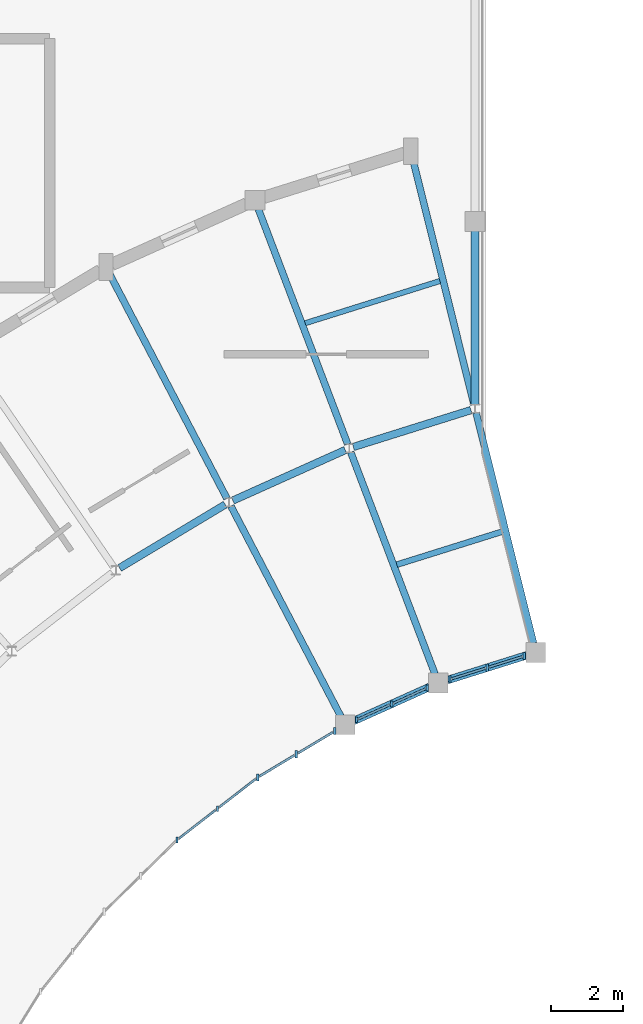
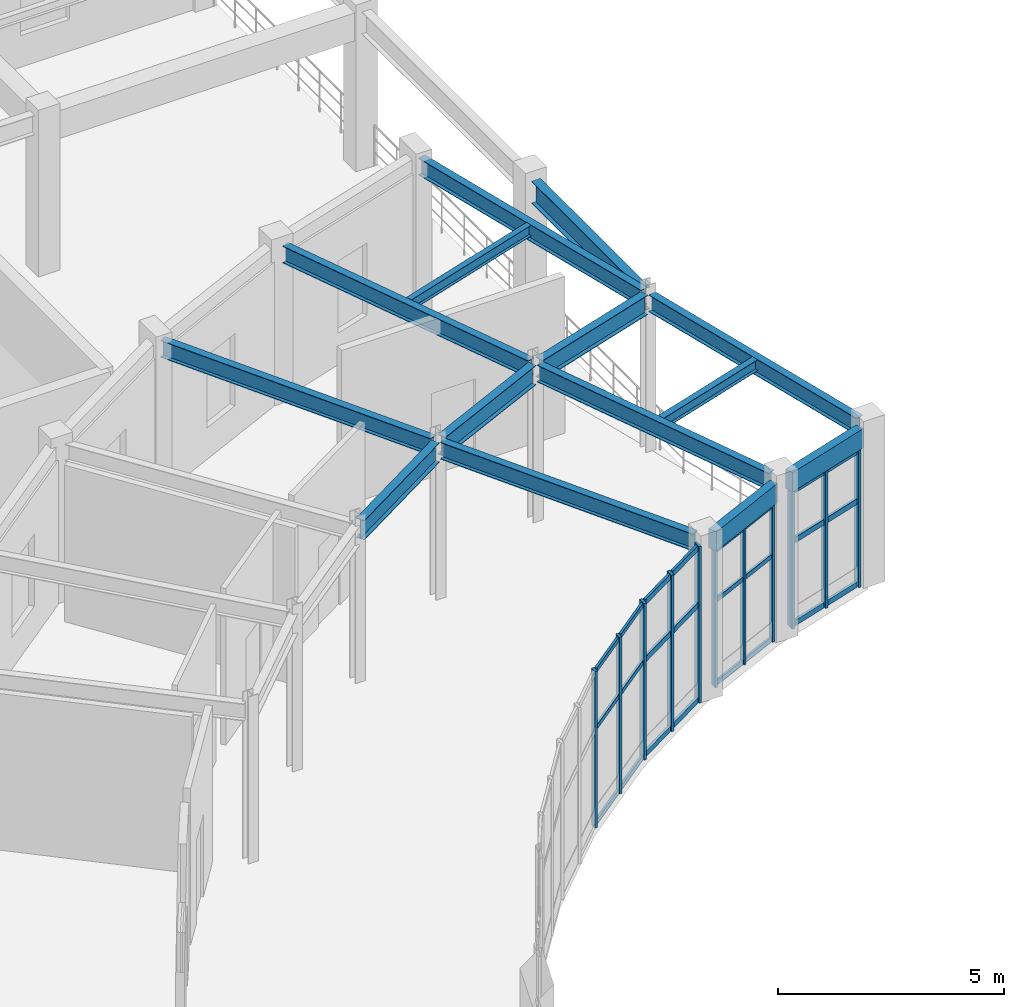
# One storey, part 50 of 112: 35 members, 14 beams, 4 elements without a shape of their own.
"""IFC4 building model written with IfcOpenShell, lengths in metres."""

import ifcopenshell
import ifcopenshell.guid

model = None  # the IFC model being written
_history = None  # IfcOwnerHistory: only IFC2X3 demands one
_inside = {}  # id of a spatial element -> (the spatial element, [elements in it])
_under = {}  # id of a project, library or spatial element -> (it, [spatial elements below it])
_declared = {}  # id of a project -> (the project, [libraries it declares])
_typed = {}  # id of a type object -> (the type object, [elements of that type])
_made_of = {}  # id of a material, layer set ... -> (it, [elements and type objects made of it])


def new_model(schema):
    """Start an empty IFC model of exactly this schema.

    Asked for "IFC4X3", IfcOpenShell would pick the latest addendum, in which some entities
    have other attributes; the version numbers below select the first issue.
    IFC2X3 requires an IfcOwnerHistory on every rooted entity: one is made here for all.
    """
    global model, _history
    if schema == "IFC4X3":
        model = ifcopenshell.file(schema_version=(4, 3, 0, 0))
    else:
        model = ifcopenshell.file(schema=schema)
    _inside.clear()
    _under.clear()
    _declared.clear()
    _typed.clear()
    _made_of.clear()
    _history = None
    if model.schema == "IFC2X3":
        org = make("IfcOrganization", Name="unknown")
        user = make(
            "IfcPersonAndOrganization",
            ThePerson=make("IfcPerson", FamilyName="unknown"),
            TheOrganization=org,
        )
        app = make(
            "IfcApplication",
            ApplicationDeveloper=org,
            Version="unknown",
            ApplicationFullName="unknown",
            ApplicationIdentifier="unknown",
        )
        _history = make(
            "IfcOwnerHistory",
            OwningUser=user,
            OwningApplication=app,
            ChangeAction="ADDED",
            CreationDate=0,
        )
    return model


def make(cls, **values):
    """One entity of the class cls with the attributes given. An attribute that is None is left unset."""
    return model.create_entity(
        cls, **{name: value for name, value in values.items() if value is not None}
    )


def rooted(cls, **values):
    """An entity with a GlobalId (a new one), such as an element, a storey or a relation."""
    return make(cls, GlobalId=ifcopenshell.guid.new(), OwnerHistory=_history, **values)


def si_unit(unit_type, name, prefix=None):
    """IfcSIUnit, for example si_unit("LENGTHUNIT", "METRE", prefix="MILLI")."""
    return make("IfcSIUnit", UnitType=unit_type, Prefix=prefix, Name=name)


def assignment(units):
    """IfcUnitAssignment: the units of a project."""
    return None if units is None else make("IfcUnitAssignment", Units=units)


def point(xyz):
    """IfcCartesianPoint."""
    return None if xyz is None else make("IfcCartesianPoint", Coordinates=xyz)


def direction(xyz):
    """IfcDirection."""
    return None if xyz is None else make("IfcDirection", DirectionRatios=xyz)


def frame(location, z_axis=None, x_axis=None):
    """IfcAxis2Placement3D, a coordinate frame: its origin and axes. An axis left out is left unset."""
    return make(
        "IfcAxis2Placement3D",
        Location=point(location),
        Axis=direction(z_axis),
        RefDirection=direction(x_axis),
    )


def frame_2d(location, x_axis=None):
    """IfcAxis2Placement2D, a coordinate frame in the plane: its origin and x axis."""
    return make(
        "IfcAxis2Placement2D", Location=point(location), RefDirection=direction(x_axis)
    )


def origin():
    """The frame at (0, 0, 0) with its axes left unset."""
    return frame((0.0, 0.0, 0.0))


def origin_2d():
    """The frame at (0, 0) in the plane with its x axis left unset."""
    return frame_2d((0.0, 0.0))


def place(relative_to, where):
    """IfcLocalPlacement: puts the frame where relative to a parent placement (None: the world)."""
    return make(
        "IfcLocalPlacement", PlacementRelTo=relative_to, RelativePlacement=where
    )


def context(
    kind, dimensions, precision=None, world=None, true_north=None, identifier=None
):
    """IfcGeometricRepresentationContext, for example the 3D "Model" context."""
    return make(
        "IfcGeometricRepresentationContext",
        ContextIdentifier=identifier,
        ContextType=kind,
        CoordinateSpaceDimension=dimensions,
        Precision=precision,
        WorldCoordinateSystem=world,
        TrueNorth=true_north,
    )


def subcontext(parent, identifier, kind, view, scale=None):
    """IfcGeometricRepresentationSubContext, for example "Body" below "Model"."""
    return make(
        "IfcGeometricRepresentationSubContext",
        ContextIdentifier=identifier,
        ContextType=kind,
        ParentContext=parent,
        TargetScale=scale,
        TargetView=view,
    )


def project(units=None, contexts=None):
    """IfcProject with its units and contexts."""
    return rooted(
        "IfcProject",
        Name="project",
        RepresentationContexts=contexts,
        UnitsInContext=assignment(units),
    )


def spatial(cls, under=None, at=None, **own):
    """A site, building, storey or space (cls), placed at a placement, below another one or the project."""
    s = rooted(cls, ObjectPlacement=at, **own)
    if under is not None:
        _under.setdefault(under.id(), (under, []))[1].append(s)
    return s


def profile(cls, at=None, kind="AREA", **sizes):
    """A parametric profile (cls). Its sizes go by their IFC names, for example OverallWidth=200.0."""
    return make(cls, ProfileType=kind, Position=at, **sizes)


def rectangle(**sizes):
    """IfcRectangleProfileDef."""
    return profile("IfcRectangleProfileDef", **sizes)


def i_section(**sizes):
    """IfcIShapeProfileDef."""
    return profile("IfcIShapeProfileDef", **sizes)


def extrude(swept, where, along, depth):
    """IfcExtrudedAreaSolid: the profile swept, set in the frame where, extruded along a direction by depth."""
    return make(
        "IfcExtrudedAreaSolid",
        SweptArea=swept,
        Position=where,
        ExtrudedDirection=direction(along),
        Depth=depth,
    )


def shape(context_of_items, identifier, shape_type, items):
    """IfcShapeRepresentation: the items that make up one representation, for example the "Body"."""
    return make(
        "IfcShapeRepresentation",
        ContextOfItems=context_of_items,
        RepresentationIdentifier=identifier,
        RepresentationType=shape_type,
        Items=items,
    )


def material(Name=None, Category=None):
    """IfcMaterial."""
    return make("IfcMaterial", Name=Name, Category=Category)


def material_profile(
    of_material, cross_section, Name=None, Category=None, Priority=None
):
    """IfcMaterialProfile: a cross section and its material."""
    return make(
        "IfcMaterialProfile",
        Name=Name,
        Material=of_material,
        Profile=cross_section,
        Priority=Priority,
        Category=Category,
    )


def profile_set(profiles, Name=None, composite=None):
    """IfcMaterialProfileSet."""
    return make(
        "IfcMaterialProfileSet",
        Name=Name,
        MaterialProfiles=profiles,
        CompositeProfile=composite,
    )


def made_of(thing, what):
    """Note that an element or type object is made of a material, layer set ...; save() writes the relation."""
    if what is not None:
        _made_of.setdefault(what.id(), (what, []))[1].append(thing)
    return thing


def type_object(cls, material=None, **own):
    """A type object (cls), such as IfcWallType, which elements share."""
    return made_of(rooted(cls, **own), material)


def element(
    cls,
    number,
    at=None,
    inside=None,
    cuts=None,
    type_object=None,
    material=None,
    context=None,
    identifier="Body",
    shape_type=None,
    held_by="IfcProductDefinitionShape",
    body=None,
    shapes=None,
    **own,
):
    """One element of the class cls, such as IfcWall. Its Tag is "e" and its number.

    at: its placement. inside: the storey or other place that contains it. cuts: it is an
    opening in that element (IfcRelVoidsElement). A single representation is given by context,
    identifier, shape_type and body (its items); several are given by shapes. held_by: the class
    of the entity that holds the representations. save() writes the other relations.
    """
    e = rooted(cls, Tag="e%d" % number, ObjectPlacement=at, **own)
    if body is not None:
        shapes = [shape(context, identifier, shape_type, body)]
    if shapes is not None:
        e.Representation = make(held_by, Representations=shapes)
    if inside is not None:
        _inside.setdefault(inside.id(), (inside, []))[1].append(e)
    if cuts is not None:
        rooted(
            "IfcRelVoidsElement", RelatingBuildingElement=cuts, RelatedOpeningElement=e
        )
    if type_object is not None:
        _typed.setdefault(type_object.id(), (type_object, []))[1].append(e)
    return made_of(e, material)


def aggregate(whole, parts):
    """IfcRelAggregates: a whole, such as a stair, and the parts it consists of."""
    return rooted("IfcRelAggregates", RelatingObject=whole, RelatedObjects=parts)


def save(model, path):
    """Write the relations noted so far, then the file.

    IfcRelAggregates (storeys below a building ...), IfcRelContainedInSpatialStructure (elements
    in a storey), IfcRelDefinesByType, IfcRelAssociatesMaterial and IfcRelDeclares: one each for
    every whole, place, type object, material and project.
    """
    for whole, parts in _under.values():
        aggregate(whole, parts)
    for where, things in _inside.values():
        rooted(
            "IfcRelContainedInSpatialStructure",
            RelatedElements=things,
            RelatingStructure=where,
        )
    for kind, things in _typed.values():
        rooted("IfcRelDefinesByType", RelatedObjects=things, RelatingType=kind)
    for what, things in _made_of.values():
        rooted("IfcRelAssociatesMaterial", RelatedObjects=things, RelatingMaterial=what)
    for by, libraries in _declared.values():
        rooted("IfcRelDeclares", RelatingContext=by, RelatedDefinitions=libraries)
    model.write(path)


model = new_model("IFC4")

# Units and contexts
model_context = context("Model", 3, precision=1e-05, world=origin(), true_north=direction((0.0, 1.0)))
body_context = subcontext(model_context, "Body", "Model", "MODEL_VIEW")
ifc_project = project(units=[si_unit("LENGTHUNIT", "METRE"), si_unit("AREAUNIT", "SQUARE_METRE"), si_unit("VOLUMEUNIT", "CUBIC_METRE"), si_unit("PLANEANGLEUNIT", "RADIAN"), si_unit("MASSUNIT", "GRAM", prefix="KILO")], contexts=[model_context])

# Site, building, storey
site_placement = place(None, origin())
site = spatial("IfcSite", under=ifc_project, at=site_placement, CompositionType="ELEMENT")
building_placement = place(site_placement, origin())
building = spatial("IfcBuilding", under=site, at=building_placement, Name="Cinderbank Siding Concert Hall", CompositionType="ELEMENT")
storey_placement = place(building_placement, frame((0.0, 0.0, 10.199951171875)))
storey = spatial("IfcBuildingStorey", under=building, at=storey_placement, Name="L03", CompositionType="ELEMENT", Elevation=10.199951171875)

# Beams
ifc_material_1 = material(Name="Structural steel AS/NZS 3679.1 Grade 350 (340 MPa)", Category="steel")
ifc_material_profile_1 = material_profile(ifc_material_1, i_section(OverallWidth=0.18994140625, OverallDepth=0.45751953125, WebThickness=0.009033203125, FlangeThickness=0.014404296875, at=origin_2d()), Name="460UB74.6", Category="LoadBearing")
ifc_profile_set_1 = profile_set([ifc_material_profile_1], Name="Structural steel AS/NZS 3679.1 Grade 350 (340 MPa)")
beam_type_1 = type_object("IfcBeamType", Name="BM-UB460 460UB74.6", PredefinedType="BEAM", material=ifc_profile_set_1)
beam_1_placement = place(storey_placement, frame((50.12939453125, 91.546142578125, 4.013427734375), z_axis=(-0.241953596761, 0.970287821739, 0.0), x_axis=(-0.970287821739, -0.241953596761, 0.0)))
element("IfcBeam", 1, at=beam_1_placement, inside=storey, type_object=beam_type_1, Name="L03 Beam BM-UB460 #983", PredefinedType="BEAM", context=body_context, shape_type="SweptSolid", body=[
    extrude(i_section(OverallWidth=0.18994140625, OverallDepth=0.45751953125, WebThickness=0.009033203125, FlangeThickness=0.014404296875, at=origin_2d()), origin(), (0.0, 0.0, 1.0), 6.61328125),
])
beam_2_placement = place(storey_placement, frame((47.382568359375, 90.685302734375, 4.013427734375), z_axis=(-0.355109367134, 0.934824762923, 0.0), x_axis=(-0.934824762923, -0.355109367134, 0.0)))
element("IfcBeam", 2, at=beam_2_placement, inside=storey, type_object=beam_type_1, Name="L03 Beam BM-UB460 #984", PredefinedType="BEAM", context=body_context, shape_type="SweptSolid", body=[
    extrude(i_section(OverallWidth=0.18994140625, OverallDepth=0.45751953125, WebThickness=0.009033203125, FlangeThickness=0.014404296875, at=origin_2d()), origin(), (0.0, 0.0, 1.0), 6.613037109375),
])
beam_3_placement = place(storey_placement, frame((48.471435546875, 98.195556640625, 4.013427734375), z_axis=(-0.241935844922, 0.970292248213, 0.0), x_axis=(-0.970292248213, -0.241935844922, 0.0)))
element("IfcBeam", 3, at=beam_3_placement, inside=storey, type_object=beam_type_1, Name="L03 Beam BM-UB460 #986", PredefinedType="BEAM", context=body_context, shape_type="SweptSolid", body=[
    extrude(i_section(OverallWidth=0.18994140625, OverallDepth=0.45751953125, WebThickness=0.009033203125, FlangeThickness=0.014404296875, at=origin_2d()), origin(), (0.0, 0.0, 1.0), 7.087890625),
])
beam_4_placement = place(storey_placement, frame((44.94921875, 97.091796875, 4.013427734375), z_axis=(-0.355122240395, 0.934819872691, 0.0), x_axis=(-0.934819872691, -0.355122240395, 0.0)))
element("IfcBeam", 4, at=beam_4_placement, inside=storey, type_object=beam_type_1, Name="L03 Beam BM-UB460 #987", PredefinedType="BEAM", context=body_context, shape_type="SweptSolid", body=[
    extrude(i_section(OverallWidth=0.18994140625, OverallDepth=0.45751953125, WebThickness=0.009033203125, FlangeThickness=0.014404296875, at=origin_2d()), origin(), (0.0, 0.0, 1.0), 7.012939453125),
])
beam_5_placement = place(storey_placement, frame((44.757080078125, 89.505615234375, 4.013427734375), z_axis=(-0.463296384832, 0.886203396406, 0.0), x_axis=(-0.886203396406, -0.463296384832, 0.0)))
element("IfcBeam", 5, at=beam_5_placement, inside=storey, type_object=beam_type_1, Name="L03 Beam BM-UB460 #992", PredefinedType="BEAM", context=body_context, shape_type="SweptSolid", body=[
    extrude(i_section(OverallWidth=0.18994140625, OverallDepth=0.45751953125, WebThickness=0.009033203125, FlangeThickness=0.014404296875, at=origin_2d()), origin(), (0.0, 0.0, 1.0), 6.61279296875),
])
beam_6_placement = place(storey_placement, frame((41.582275390625, 95.57861328125, 4.013427734375), z_axis=(-0.46330154949, 0.886200696366, 0.0), x_axis=(-0.886200696366, -0.46330154949, 0.0)))
element("IfcBeam", 6, at=beam_6_placement, inside=storey, type_object=beam_type_1, Name="L03 Beam BM-UB460 #993", PredefinedType="BEAM", context=body_context, shape_type="SweptSolid", body=[
    extrude(i_section(OverallWidth=0.18994140625, OverallDepth=0.45751953125, WebThickness=0.009033203125, FlangeThickness=0.014404296875, at=origin_2d()), origin(), (0.0, 0.0, 1.0), 7.088134765625),
])
ifc_material_profile_2 = material_profile(ifc_material_1, i_section(OverallWidth=0.208984375, OverallDepth=0.5283203125, WebThickness=0.009521484375, FlangeThickness=0.01318359375, at=origin_2d()), Name="530UB82.0", Category="LoadBearing")
ifc_profile_set_2 = profile_set([ifc_material_profile_2], Name="Structural steel AS/NZS 3679.1 Grade 350 (340 MPa)")
beam_type_2 = type_object("IfcBeamType", Name="BM-UB530 530UB82.0", PredefinedType="BEAM", material=ifc_profile_set_2)
beam_7_placement = place(storey_placement, frame((48.385986328125, 98.043212890625, 3.97802734375), z_axis=(-0.954239526016, -0.299043353024, 0.0), x_axis=(0.299043353024, -0.954239526016, 0.0)))
element("IfcBeam", 7, at=beam_7_placement, inside=storey, type_object=beam_type_2, Name="L03 Beam BM-UB530 #981", PredefinedType="BEAM", context=body_context, shape_type="SweptSolid", body=[
    extrude(i_section(OverallWidth=0.208984375, OverallDepth=0.5283203125, WebThickness=0.009521484375, FlangeThickness=0.01318359375, at=origin_2d()), origin(), (0.0, 0.0, 1.0), 3.43701171875),
])
for number, where, z_axis, x_axis, name in (
    (8, (44.882080078125, 96.930419921875, 3.97802734375), (-0.91210749432, -0.40995111758, 0.0), (0.40995111758, -0.91210749432, 0.0), "L03 Beam BM-UB530 #990"),
    (9, (41.534912109375, 95.410400390625, 3.97802734375), (-0.857185648763, -0.515007537377, 0.0), (0.515007537377, -0.857185648763, 0.0), "L03 Beam BM-UB530 #994"),
):
    element("IfcBeam", number, at=place(storey_placement, frame(where, z_axis=z_axis, x_axis=x_axis)), inside=storey, type_object=beam_type_2, Name=name, PredefinedType="BEAM", context=body_context, shape_type="SweptSolid", body=[
        extrude(i_section(OverallWidth=0.208984375, OverallDepth=0.5283203125, WebThickness=0.009521484375, FlangeThickness=0.01318359375, at=origin_2d()), origin(), (0.0, 0.0, 1.0), 3.436767578125),
    ])
ifc_material_profile_3 = material_profile(ifc_material_1, i_section(OverallWidth=0.22802734375, OverallDepth=0.602294921875, WebThickness=0.010498046875, FlangeThickness=0.014892578125, at=origin_2d()), Name="610UB101", Category="LoadBearing")
ifc_profile_set_3 = profile_set([ifc_material_profile_3], Name="Structural steel AS/NZS 3679.1 Grade 350 (340 MPa)")
beam_type_3 = type_object("IfcBeamType", Name="BM-UB610 610UB101", PredefinedType="BEAM", material=ifc_profile_set_3)
beam_8_placement = place(storey_placement, frame((48.5, 98.198974609375, 3.94091796875), z_axis=(0.0, 1.0, 0.0), x_axis=(-1.0, 0.0, 0.0)))
element("IfcBeam", 10, at=beam_8_placement, inside=storey, type_object=beam_type_3, Name="L03 Beam BM-UB610 #1702", PredefinedType="BEAM", context=body_context, shape_type="SweptSolid", body=[
    extrude(i_section(OverallWidth=0.22802734375, OverallDepth=0.602294921875, WebThickness=0.010498046875, FlangeThickness=0.014892578125, at=origin_2d()), origin(), (0.0, 0.0, 1.0), 4.833984375),
])

# Curtain wall, members
ifc_material_2 = material(Name="Anodised aluminium alloy 6063-T6", Category="aluminium")
curtain_wall_type_1 = type_object("IfcCurtainWallType", Name="CW-14 Unitised Acoustic Curtain Wall 4200x3800", PredefinedType="NOTDEFINED", material=ifc_material_2)
curtain_wall_1_placement = place(storey_placement, origin())
curtain_wall_1 = element("IfcCurtainWall", 11, at=curtain_wall_1_placement, inside=storey, type_object=curtain_wall_type_1, Name="L03 Curtain Wall CW-14 #124", PredefinedType="NOTDEFINED")
ifc_material_profile_4 = material_profile(ifc_material_2, rectangle(XDim=0.06005859375, YDim=0.159912109375, at=origin_2d()), Name="ALU-MULL-60x160", Category="LoadBearing")
ifc_profile_set_4 = profile_set([ifc_material_profile_4], Name="Anodised aluminium alloy 6063-T6")
member_type_1 = type_object("IfcMemberType", Name="CW-ML1 Mullion 60x160", PredefinedType="MULLION", material=ifc_profile_set_4)
member_1_placement = place(storey_placement, frame((47.167236328125, 90.29638671875, 0.0), z_axis=(0.0, 0.0, 1.0), x_axis=(1.0, 0.0, 0.0)))
member_1 = element("IfcMember", 12, at=member_1_placement, type_object=member_type_1, Name="CW-L03-124 Mullion 0", PredefinedType="MULLION", context=body_context, shape_type="SweptSolid", body=[
    extrude(rectangle(XDim=0.06005859375, YDim=0.159912109375, at=origin_2d()), origin(), (0.0, 0.0, 1.0), 3.70703125),
])
member_2_placement = place(storey_placement, frame((46.17919921875, 89.852294921875, 0.0), z_axis=(0.0, 0.0, 1.0), x_axis=(1.0, 0.0, 0.0)))
member_2 = element("IfcMember", 13, at=member_2_placement, type_object=member_type_1, Name="CW-L03-124 Mullion 1", PredefinedType="MULLION", context=body_context, shape_type="SweptSolid", body=[
    extrude(rectangle(XDim=0.06005859375, YDim=0.159912109375, at=origin_2d()), origin(), (0.0, 0.0, 1.0), 3.70703125),
])
member_3_placement = place(storey_placement, frame((45.19091796875, 89.408203125, 0.0), z_axis=(0.0, 0.0, 1.0), x_axis=(1.0, 0.0, 0.0)))
member_3 = element("IfcMember", 14, at=member_3_placement, type_object=member_type_1, Name="CW-L03-124 Mullion 2", PredefinedType="MULLION", context=body_context, shape_type="SweptSolid", body=[
    extrude(rectangle(XDim=0.06005859375, YDim=0.159912109375, at=origin_2d()), origin(), (0.0, 0.0, 1.0), 3.70703125),
])

curtain_wall_2_placement = place(storey_placement, origin())
curtain_wall_2 = element("IfcCurtainWall", 15, at=curtain_wall_2_placement, inside=storey, type_object=curtain_wall_type_1, Name="L03 Curtain Wall CW-14 #126", PredefinedType="NOTDEFINED")
member_4_placement = place(storey_placement, frame((41.316162109375, 86.930419921875, 0.0), z_axis=(0.0, 0.0, 1.0), x_axis=(1.0, 0.0, 0.0)))
member_4 = element("IfcMember", 16, at=member_4_placement, type_object=member_type_1, Name="CW-L03-126 Mullion 1", PredefinedType="MULLION", context=body_context, shape_type="SweptSolid", body=[
    extrude(rectangle(XDim=0.06005859375, YDim=0.159912109375, at=origin_2d()), origin(), (0.0, 0.0, 1.0), 4.22509765625),
])
member_5_placement = place(storey_placement, frame((40.19140625, 86.05810546875, 0.0), z_axis=(0.0, 0.0, 1.0), x_axis=(1.0, 0.0, 0.0)))
member_5 = element("IfcMember", 17, at=member_5_placement, type_object=member_type_1, Name="CW-L03-126 Mullion 2", PredefinedType="MULLION", context=body_context, shape_type="SweptSolid", body=[
    extrude(rectangle(XDim=0.06005859375, YDim=0.159912109375, at=origin_2d()), origin(), (0.0, 0.0, 1.0), 4.22509765625),
])

curtain_wall_type_2 = type_object("IfcCurtainWallType", Name="CW-13 Unitised Acoustic Curtain Wall 4200x4400", PredefinedType="NOTDEFINED", material=ifc_material_2)
curtain_wall_3_placement = place(storey_placement, origin())
curtain_wall_3 = element("IfcCurtainWall", 18, at=curtain_wall_3_placement, inside=storey, type_object=curtain_wall_type_2, Name="L03 Curtain Wall CW-13 #123", PredefinedType="NOTDEFINED")
ifc_material_profile_5 = material_profile(ifc_material_2, rectangle(XDim=0.06494140625, YDim=0.199951171875, at=origin_2d()), Name="ALU-MULL-65x200", Category="LoadBearing")
ifc_profile_set_5 = profile_set([ifc_material_profile_5], Name="Anodised aluminium alloy 6063-T6")
member_type_2 = type_object("IfcMemberType", Name="CW-ML2 Mullion 65x200", PredefinedType="MULLION", material=ifc_profile_set_5)
member_6_placement = place(storey_placement, frame((49.869384765625, 91.185302734375, 0.0), z_axis=(0.0, 0.0, 1.0), x_axis=(1.0, 0.0, 0.0)))
member_6 = element("IfcMember", 19, at=member_6_placement, type_object=member_type_2, Name="CW-L03-123 Mullion 0", PredefinedType="MULLION", context=body_context, shape_type="SweptSolid", body=[
    extrude(rectangle(XDim=0.06494140625, YDim=0.199951171875, at=origin_2d()), origin(), (0.0, 0.0, 1.0), 3.70703125),
])
member_7_placement = place(storey_placement, frame((48.835693359375, 90.861572265625, 0.0), z_axis=(0.0, 0.0, 1.0), x_axis=(1.0, 0.0, 0.0)))
member_7 = element("IfcMember", 20, at=member_7_placement, type_object=member_type_2, Name="CW-L03-123 Mullion 1", PredefinedType="MULLION", context=body_context, shape_type="SweptSolid", body=[
    extrude(rectangle(XDim=0.06494140625, YDim=0.199951171875, at=origin_2d()), origin(), (0.0, 0.0, 1.0), 3.70703125),
])
member_8_placement = place(storey_placement, frame((47.8017578125, 90.53759765625, 0.0), z_axis=(0.0, 0.0, 1.0), x_axis=(1.0, 0.0, 0.0)))
member_8 = element("IfcMember", 21, at=member_8_placement, type_object=member_type_2, Name="CW-L03-123 Mullion 2", PredefinedType="MULLION", context=body_context, shape_type="SweptSolid", body=[
    extrude(rectangle(XDim=0.06494140625, YDim=0.199951171875, at=origin_2d()), origin(), (0.0, 0.0, 1.0), 3.70703125),
])

curtain_wall_4_placement = place(storey_placement, origin())
curtain_wall_4 = element("IfcCurtainWall", 22, at=curtain_wall_4_placement, inside=storey, type_object=curtain_wall_type_2, Name="L03 Curtain Wall CW-13 #125", PredefinedType="NOTDEFINED")
member_9_placement = place(storey_placement, frame((44.589599609375, 89.09375, 0.0), z_axis=(0.0, 0.0, 1.0), x_axis=(1.0, 0.0, 0.0)))
member_9 = element("IfcMember", 23, at=member_9_placement, type_object=member_type_2, Name="CW-L03-125 Mullion 0", PredefinedType="MULLION", context=body_context, shape_type="SweptSolid", body=[
    extrude(rectangle(XDim=0.06494140625, YDim=0.199951171875, at=origin_2d()), origin(), (0.0, 0.0, 1.0), 4.22509765625),
])
member_10_placement = place(storey_placement, frame((43.51513671875, 88.4482421875, 0.0), z_axis=(0.0, 0.0, 1.0), x_axis=(1.0, 0.0, 0.0)))
member_10 = element("IfcMember", 24, at=member_10_placement, type_object=member_type_2, Name="CW-L03-125 Mullion 1", PredefinedType="MULLION", context=body_context, shape_type="SweptSolid", body=[
    extrude(rectangle(XDim=0.06494140625, YDim=0.199951171875, at=origin_2d()), origin(), (0.0, 0.0, 1.0), 4.22509765625),
])
member_11_placement = place(storey_placement, frame((42.44091796875, 87.802734375, 0.0), z_axis=(0.0, 0.0, 1.0), x_axis=(1.0, 0.0, 0.0)))
member_11 = element("IfcMember", 25, at=member_11_placement, type_object=member_type_2, Name="CW-L03-125 Mullion 2", PredefinedType="MULLION", context=body_context, shape_type="SweptSolid", body=[
    extrude(rectangle(XDim=0.06494140625, YDim=0.199951171875, at=origin_2d()), origin(), (0.0, 0.0, 1.0), 4.22509765625),
])

# Member
ifc_material_profile_6 = material_profile(ifc_material_2, rectangle(XDim=0.06005859375, YDim=0.1201171875, at=origin_2d()), Name="ALU-TRAN-60x120", Category="LoadBearing")
ifc_profile_set_6 = profile_set([ifc_material_profile_6], Name="Anodised aluminium alloy 6063-T6")
member_type_3 = type_object("IfcMemberType", Name="CW-TR1 Transom 60x120", PredefinedType="USERDEFINED", material=ifc_profile_set_6)
member_12_placement = place(storey_placement, frame((47.117919921875, 90.274169921875, 0.06005859375), z_axis=(-0.912141564292, -0.409875306271, 0.0), x_axis=(0.409875306271, -0.912141564292, 0.0)))
member_12 = element("IfcMember", 26, at=member_12_placement, type_object=member_type_3, Name="CW-L03-124 Transom 0-0", ObjectType="TRANSOM", PredefinedType="USERDEFINED", context=body_context, shape_type="SweptSolid", body=[
    extrude(rectangle(XDim=0.06005859375, YDim=0.1201171875, at=origin_2d()), origin(), (0.0, 0.0, 1.0), 0.97509765625),
])

member_13_placement = place(storey_placement, frame((47.117919921875, 90.274169921875, 2.29833984375), z_axis=(-0.912141564292, -0.409875306271, 0.0), x_axis=(0.409875306271, -0.912141564292, 0.0)))
member_13 = element("IfcMember", 27, at=member_13_placement, type_object=member_type_3, Name="CW-L03-124 Transom 0-1", ObjectType="TRANSOM", PredefinedType="USERDEFINED", context=body_context, shape_type="SweptSolid", body=[
    extrude(rectangle(XDim=0.06005859375, YDim=0.1201171875, at=origin_2d()), origin(), (0.0, 0.0, 1.0), 0.97509765625),
])

member_14_placement = place(storey_placement, frame((47.117919921875, 90.274169921875, 3.64697265625), z_axis=(-0.912141564292, -0.409875306271, 0.0), x_axis=(0.409875306271, -0.912141564292, 0.0)))
member_14 = element("IfcMember", 28, at=member_14_placement, type_object=member_type_3, Name="CW-L03-124 Transom 0-2", ObjectType="TRANSOM", PredefinedType="USERDEFINED", context=body_context, shape_type="SweptSolid", body=[
    extrude(rectangle(XDim=0.06005859375, YDim=0.1201171875, at=origin_2d()), origin(), (0.0, 0.0, 1.0), 0.97509765625),
])

member_15_placement = place(storey_placement, frame((46.129638671875, 89.830078125, 0.06005859375), z_axis=(-0.912099486264, -0.409968934381, 0.0), x_axis=(0.409968934381, -0.912099486264, 0.0)))
member_15 = element("IfcMember", 29, at=member_15_placement, type_object=member_type_3, Name="CW-L03-124 Transom 1-0", ObjectType="TRANSOM", PredefinedType="USERDEFINED", context=body_context, shape_type="SweptSolid", body=[
    extrude(rectangle(XDim=0.06005859375, YDim=0.1201171875, at=origin_2d()), origin(), (0.0, 0.0, 1.0), 0.974853515625),
])

member_16_placement = place(storey_placement, frame((46.129638671875, 89.830078125, 2.29833984375), z_axis=(-0.912099486264, -0.409968934381, 0.0), x_axis=(0.409968934381, -0.912099486264, 0.0)))
member_16 = element("IfcMember", 30, at=member_16_placement, type_object=member_type_3, Name="CW-L03-124 Transom 1-1", ObjectType="TRANSOM", PredefinedType="USERDEFINED", context=body_context, shape_type="SweptSolid", body=[
    extrude(rectangle(XDim=0.06005859375, YDim=0.1201171875, at=origin_2d()), origin(), (0.0, 0.0, 1.0), 0.974853515625),
])

member_17_placement = place(storey_placement, frame((46.129638671875, 89.830078125, 3.64697265625), z_axis=(-0.912099486264, -0.409968934381, 0.0), x_axis=(0.409968934381, -0.912099486264, 0.0)))
member_17 = element("IfcMember", 31, at=member_17_placement, type_object=member_type_3, Name="CW-L03-124 Transom 1-2", ObjectType="TRANSOM", PredefinedType="USERDEFINED", context=body_context, shape_type="SweptSolid", body=[
    extrude(rectangle(XDim=0.06005859375, YDim=0.1201171875, at=origin_2d()), origin(), (0.0, 0.0, 1.0), 0.974853515625),
])

aggregate(curtain_wall_1, [member_1, member_2, member_3, member_12, member_13, member_14, member_15, member_16, member_17])

member_18_placement = place(storey_placement, frame((42.384521484375, 87.759033203125, 0.06005859375), z_axis=(-0.790244289091, -0.612791941493, 0.0), x_axis=(0.612791941493, -0.790244289091, 0.0)))
member_18 = element("IfcMember", 32, at=member_18_placement, type_object=member_type_3, Name="CW-L03-126 Transom 0-0", ObjectType="TRANSOM", PredefinedType="USERDEFINED", context=body_context, shape_type="SweptSolid", body=[
    extrude(rectangle(XDim=0.06005859375, YDim=0.1201171875, at=origin_2d()), origin(), (0.0, 0.0, 1.0), 1.28076171875),
])

member_19_placement = place(storey_placement, frame((42.384521484375, 87.759033203125, 2.61962890625), z_axis=(-0.790244289091, -0.612791941493, 0.0), x_axis=(0.612791941493, -0.790244289091, 0.0)))
member_19 = element("IfcMember", 33, at=member_19_placement, type_object=member_type_3, Name="CW-L03-126 Transom 0-1", ObjectType="TRANSOM", PredefinedType="USERDEFINED", context=body_context, shape_type="SweptSolid", body=[
    extrude(rectangle(XDim=0.06005859375, YDim=0.1201171875, at=origin_2d()), origin(), (0.0, 0.0, 1.0), 1.28076171875),
])

member_20_placement = place(storey_placement, frame((42.384521484375, 87.759033203125, 4.1650390625), z_axis=(-0.790244289091, -0.612791941493, 0.0), x_axis=(0.612791941493, -0.790244289091, 0.0)))
member_20 = element("IfcMember", 34, at=member_20_placement, type_object=member_type_3, Name="CW-L03-126 Transom 0-2", ObjectType="TRANSOM", PredefinedType="USERDEFINED", context=body_context, shape_type="SweptSolid", body=[
    extrude(rectangle(XDim=0.06005859375, YDim=0.1201171875, at=origin_2d()), origin(), (0.0, 0.0, 1.0), 1.28076171875),
])

member_21_placement = place(storey_placement, frame((41.260009765625, 86.88671875, 0.06005859375), z_axis=(-0.790151989894, -0.612910950193, 0.0), x_axis=(0.612910950193, -0.790151989894, 0.0)))
member_21 = element("IfcMember", 35, at=member_21_placement, type_object=member_type_3, Name="CW-L03-126 Transom 1-0", ObjectType="TRANSOM", PredefinedType="USERDEFINED", context=body_context, shape_type="SweptSolid", body=[
    extrude(rectangle(XDim=0.06005859375, YDim=0.1201171875, at=origin_2d()), origin(), (0.0, 0.0, 1.0), 1.281005859375),
])

member_22_placement = place(storey_placement, frame((41.260009765625, 86.88671875, 2.61962890625), z_axis=(-0.790151989894, -0.612910950193, 0.0), x_axis=(0.612910950193, -0.790151989894, 0.0)))
member_22 = element("IfcMember", 36, at=member_22_placement, type_object=member_type_3, Name="CW-L03-126 Transom 1-1", ObjectType="TRANSOM", PredefinedType="USERDEFINED", context=body_context, shape_type="SweptSolid", body=[
    extrude(rectangle(XDim=0.06005859375, YDim=0.1201171875, at=origin_2d()), origin(), (0.0, 0.0, 1.0), 1.281005859375),
])

member_23_placement = place(storey_placement, frame((41.260009765625, 86.88671875, 4.1650390625), z_axis=(-0.790151989894, -0.612910950193, 0.0), x_axis=(0.612910950193, -0.790151989894, 0.0)))
member_23 = element("IfcMember", 37, at=member_23_placement, type_object=member_type_3, Name="CW-L03-126 Transom 1-2", ObjectType="TRANSOM", PredefinedType="USERDEFINED", context=body_context, shape_type="SweptSolid", body=[
    extrude(rectangle(XDim=0.06005859375, YDim=0.1201171875, at=origin_2d()), origin(), (0.0, 0.0, 1.0), 1.281005859375),
])

aggregate(curtain_wall_2, [member_4, member_5, member_18, member_19, member_20, member_21, member_22, member_23])

ifc_material_profile_7 = material_profile(ifc_material_2, rectangle(XDim=0.06494140625, YDim=0.14990234375, at=origin_2d()), Name="ALU-TRAN-65x150", Category="LoadBearing")
ifc_profile_set_7 = profile_set([ifc_material_profile_7], Name="Anodised aluminium alloy 6063-T6")
member_type_4 = type_object("IfcMemberType", Name="CW-TR2 Transom 65x150", PredefinedType="USERDEFINED", material=ifc_profile_set_7)
member_24_placement = place(storey_placement, frame((49.81787109375, 91.169189453125, 0.06005859375), z_axis=(-0.954283778776, -0.298902106993, 0.0), x_axis=(0.298902106993, -0.954283778776, 0.0)))
member_24 = element("IfcMember", 38, at=member_24_placement, type_object=member_type_4, Name="CW-L03-123 Transom 0-0", ObjectType="TRANSOM", PredefinedType="USERDEFINED", context=body_context, shape_type="SweptSolid", body=[
    extrude(rectangle(XDim=0.06494140625, YDim=0.14990234375, at=origin_2d()), origin(), (0.0, 0.0, 1.0), 0.975341796875),
])

member_25_placement = place(storey_placement, frame((49.81787109375, 91.169189453125, 2.29833984375), z_axis=(-0.954283778776, -0.298902106993, 0.0), x_axis=(0.298902106993, -0.954283778776, 0.0)))
member_25 = element("IfcMember", 39, at=member_25_placement, type_object=member_type_4, Name="CW-L03-123 Transom 0-1", ObjectType="TRANSOM", PredefinedType="USERDEFINED", context=body_context, shape_type="SweptSolid", body=[
    extrude(rectangle(XDim=0.06494140625, YDim=0.14990234375, at=origin_2d()), origin(), (0.0, 0.0, 1.0), 0.975341796875),
])

member_26_placement = place(storey_placement, frame((49.81787109375, 91.169189453125, 3.64697265625), z_axis=(-0.954283778776, -0.298902106993, 0.0), x_axis=(0.298902106993, -0.954283778776, 0.0)))
member_26 = element("IfcMember", 40, at=member_26_placement, type_object=member_type_4, Name="CW-L03-123 Transom 0-2", ObjectType="TRANSOM", PredefinedType="USERDEFINED", context=body_context, shape_type="SweptSolid", body=[
    extrude(rectangle(XDim=0.06494140625, YDim=0.14990234375, at=origin_2d()), origin(), (0.0, 0.0, 1.0), 0.975341796875),
])

member_27_placement = place(storey_placement, frame((48.783935546875, 90.84521484375, 0.06005859375), z_axis=(-0.954261405053, -0.298973528637, 0.0), x_axis=(0.298973528637, -0.954261405053, 0.0)))
member_27 = element("IfcMember", 41, at=member_27_placement, type_object=member_type_4, Name="CW-L03-123 Transom 1-0", ObjectType="TRANSOM", PredefinedType="USERDEFINED", context=body_context, shape_type="SweptSolid", body=[
    extrude(rectangle(XDim=0.06494140625, YDim=0.14990234375, at=origin_2d()), origin(), (0.0, 0.0, 1.0), 0.97509765625),
])

member_28_placement = place(storey_placement, frame((48.783935546875, 90.84521484375, 2.29833984375), z_axis=(-0.954261405053, -0.298973528637, 0.0), x_axis=(0.298973528637, -0.954261405053, 0.0)))
member_28 = element("IfcMember", 42, at=member_28_placement, type_object=member_type_4, Name="CW-L03-123 Transom 1-1", ObjectType="TRANSOM", PredefinedType="USERDEFINED", context=body_context, shape_type="SweptSolid", body=[
    extrude(rectangle(XDim=0.06494140625, YDim=0.14990234375, at=origin_2d()), origin(), (0.0, 0.0, 1.0), 0.97509765625),
])

member_29_placement = place(storey_placement, frame((48.783935546875, 90.84521484375, 3.64697265625), z_axis=(-0.954261405053, -0.298973528637, 0.0), x_axis=(0.298973528637, -0.954261405053, 0.0)))
member_29 = element("IfcMember", 43, at=member_29_placement, type_object=member_type_4, Name="CW-L03-123 Transom 1-2", ObjectType="TRANSOM", PredefinedType="USERDEFINED", context=body_context, shape_type="SweptSolid", body=[
    extrude(rectangle(XDim=0.06494140625, YDim=0.14990234375, at=origin_2d()), origin(), (0.0, 0.0, 1.0), 0.97509765625),
])

aggregate(curtain_wall_3, [member_6, member_7, member_8, member_24, member_25, member_26, member_27, member_28, member_29])

member_30_placement = place(storey_placement, frame((44.53564453125, 89.0615234375, 0.06005859375), z_axis=(-0.857110732757, -0.515132208071, 0.0), x_axis=(0.515132208071, -0.857110732757, 0.0)))
member_30 = element("IfcMember", 44, at=member_30_placement, type_object=member_type_4, Name="CW-L03-125 Transom 0-0", ObjectType="TRANSOM", PredefinedType="USERDEFINED", context=body_context, shape_type="SweptSolid", body=[
    extrude(rectangle(XDim=0.06494140625, YDim=0.14990234375, at=origin_2d()), origin(), (0.0, 0.0, 1.0), 1.1279296875),
])

member_31_placement = place(storey_placement, frame((44.53564453125, 89.0615234375, 2.61962890625), z_axis=(-0.857110732757, -0.515132208071, 0.0), x_axis=(0.515132208071, -0.857110732757, 0.0)))
member_31 = element("IfcMember", 45, at=member_31_placement, type_object=member_type_4, Name="CW-L03-125 Transom 0-1", ObjectType="TRANSOM", PredefinedType="USERDEFINED", context=body_context, shape_type="SweptSolid", body=[
    extrude(rectangle(XDim=0.06494140625, YDim=0.14990234375, at=origin_2d()), origin(), (0.0, 0.0, 1.0), 1.1279296875),
])

member_32_placement = place(storey_placement, frame((44.53564453125, 89.0615234375, 4.1650390625), z_axis=(-0.857110732757, -0.515132208071, 0.0), x_axis=(0.515132208071, -0.857110732757, 0.0)))
member_32 = element("IfcMember", 46, at=member_32_placement, type_object=member_type_4, Name="CW-L03-125 Transom 0-2", ObjectType="TRANSOM", PredefinedType="USERDEFINED", context=body_context, shape_type="SweptSolid", body=[
    extrude(rectangle(XDim=0.06494140625, YDim=0.14990234375, at=origin_2d()), origin(), (0.0, 0.0, 1.0), 1.1279296875),
])

member_33_placement = place(storey_placement, frame((43.46142578125, 88.416015625, 0.06005859375), z_axis=(-0.857168152113, -0.515036657922, 0.0), x_axis=(0.515036657922, -0.857168152113, 0.0)))
member_33 = element("IfcMember", 47, at=member_33_placement, type_object=member_type_4, Name="CW-L03-125 Transom 1-0", ObjectType="TRANSOM", PredefinedType="USERDEFINED", context=body_context, shape_type="SweptSolid", body=[
    extrude(rectangle(XDim=0.06494140625, YDim=0.14990234375, at=origin_2d()), origin(), (0.0, 0.0, 1.0), 1.128173828125),
])

member_34_placement = place(storey_placement, frame((43.46142578125, 88.416015625, 2.61962890625), z_axis=(-0.857168152113, -0.515036657922, 0.0), x_axis=(0.515036657922, -0.857168152113, 0.0)))
member_34 = element("IfcMember", 48, at=member_34_placement, type_object=member_type_4, Name="CW-L03-125 Transom 1-1", ObjectType="TRANSOM", PredefinedType="USERDEFINED", context=body_context, shape_type="SweptSolid", body=[
    extrude(rectangle(XDim=0.06494140625, YDim=0.14990234375, at=origin_2d()), origin(), (0.0, 0.0, 1.0), 1.128173828125),
])

member_35_placement = place(storey_placement, frame((43.46142578125, 88.416015625, 4.1650390625), z_axis=(-0.857168152113, -0.515036657922, 0.0), x_axis=(0.515036657922, -0.857168152113, 0.0)))
member_35 = element("IfcMember", 49, at=member_35_placement, type_object=member_type_4, Name="CW-L03-125 Transom 1-2", ObjectType="TRANSOM", PredefinedType="USERDEFINED", context=body_context, shape_type="SweptSolid", body=[
    extrude(rectangle(XDim=0.06494140625, YDim=0.14990234375, at=origin_2d()), origin(), (0.0, 0.0, 1.0), 1.128173828125),
])

aggregate(curtain_wall_4, [member_9, member_10, member_11, member_30, member_31, member_32, member_33, member_34, member_35])

# Beams
ifc_material_profile_8 = material_profile(ifc_material_1, i_section(OverallWidth=0.1650390625, OverallDepth=0.303955078125, WebThickness=0.006103515625, FlangeThickness=0.01025390625, at=origin_2d()), Name="310UB40.4", Category="LoadBearing")
ifc_profile_set_8 = profile_set([ifc_material_profile_8], Name="Structural steel AS/NZS 3679.1 Grade 350 (340 MPa)")
beam_type_4 = type_object("IfcBeamType", Name="JS-UB310 310UB40.4", PredefinedType="JOIST", material=ifc_profile_set_8)
beam_9_placement = place(storey_placement, frame((49.26220703125, 94.656494140625, 4.090087890625), z_axis=(-0.954244423023, -0.299027726355, 0.0), x_axis=(0.299027726355, -0.954244423023, 0.0)))
element("IfcBeam", 50, at=beam_9_placement, inside=storey, type_object=beam_type_4, Name="L03 Beam JS-UB310 #985", PredefinedType="JOIST", context=body_context, shape_type="SweptSolid", body=[
    extrude(i_section(OverallWidth=0.1650390625, OverallDepth=0.303955078125, WebThickness=0.006103515625, FlangeThickness=0.01025390625, at=origin_2d()), origin(), (0.0, 0.0, 1.0), 3.083740234375),
])
ifc_material_profile_9 = material_profile(ifc_material_1, i_section(OverallWidth=0.14892578125, OverallDepth=0.298095703125, WebThickness=0.005615234375, FlangeThickness=0.008056640625, at=origin_2d()), Name="310UB32.0", Category="LoadBearing")
ifc_profile_set_9 = profile_set([ifc_material_profile_9], Name="Structural steel AS/NZS 3679.1 Grade 350 (340 MPa)")
beam_type_5 = type_object("IfcBeamType", Name="JS-UB310L 310UB32.0", PredefinedType="JOIST", material=ifc_profile_set_9)
beam_10_placement = place(storey_placement, frame((47.5205078125, 101.642578125, 4.093017578125), z_axis=(-0.954250242352, -0.299009155331, 0.0), x_axis=(0.299009155331, -0.954250242352, 0.0)))
element("IfcBeam", 51, at=beam_10_placement, inside=storey, type_object=beam_type_5, Name="L03 Beam JS-UB310L #988", PredefinedType="JOIST", context=body_context, shape_type="SweptSolid", body=[
    extrude(i_section(OverallWidth=0.14892578125, OverallDepth=0.298095703125, WebThickness=0.005615234375, FlangeThickness=0.008056640625, at=origin_2d()), origin(), (0.0, 0.0, 1.0), 3.93798828125),
])
ifc_material_3 = material(Name="Spotted gum glulam timber GL18 (42 MPa)", Category="wood")
ifc_material_profile_10 = material_profile(ifc_material_3, rectangle(XDim=0.215087890625, YDim=0.52001953125, at=origin_2d()), Name="GL18-215x520", Category="LoadBearing")
ifc_profile_set_10 = profile_set([ifc_material_profile_10], Name="Spotted gum glulam timber GL18 (42 MPa)")
beam_type_6 = type_object("IfcBeamType", Name="SP-GL520 GL18-215x520", PredefinedType="SPANDREL", material=ifc_profile_set_10)
beam_11_placement = place(storey_placement, frame((49.939208984375, 91.207275390625, 3.98193359375), z_axis=(-0.954239252467, -0.299044225911, 0.0), x_axis=(0.299044225911, -0.954239252467, 0.0)))
element("IfcBeam", 52, at=beam_11_placement, inside=storey, type_object=beam_type_6, Name="L03 Beam SP-GL520 #980", PredefinedType="SPANDREL", context=body_context, shape_type="SweptSolid", body=[
    extrude(rectangle(XDim=0.215087890625, YDim=0.52001953125, at=origin_2d()), origin(), (0.0, 0.0, 1.0), 2.31298828125),
])
beam_12_placement = place(storey_placement, frame((47.23388671875, 90.326416015625, 3.98193359375), z_axis=(-0.912118930481, -0.409925672113, 0.0), x_axis=(0.409925672113, -0.912118930481, 0.0)))
element("IfcBeam", 53, at=beam_12_placement, inside=storey, type_object=beam_type_6, Name="L03 Beam SP-GL520 #989", PredefinedType="SPANDREL", context=body_context, shape_type="SweptSolid", body=[
    extrude(rectangle(XDim=0.215087890625, YDim=0.52001953125, at=origin_2d()), origin(), (0.0, 0.0, 1.0), 2.3125),
])

save(model, "model.ifc")
